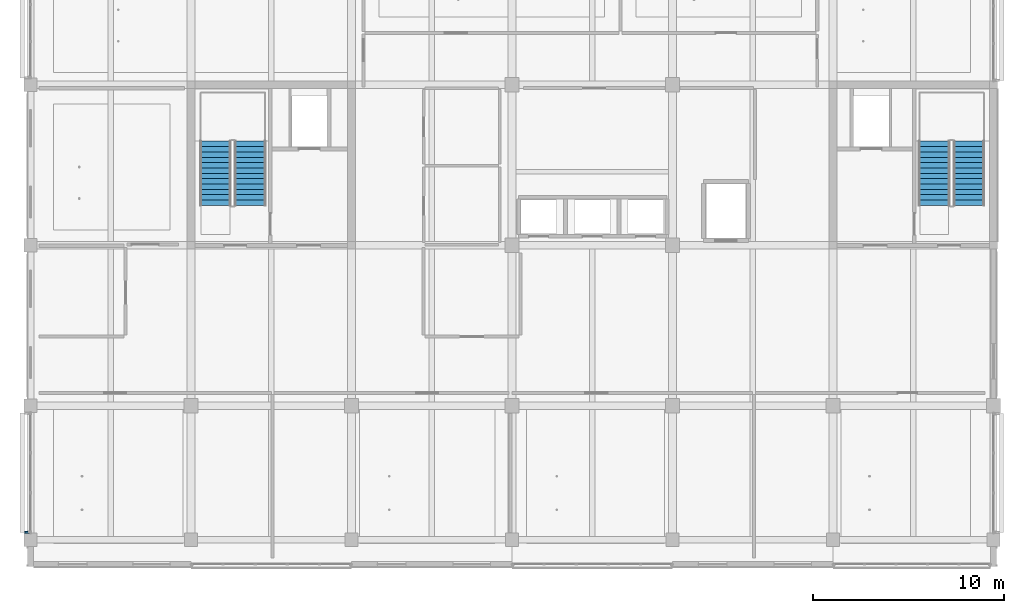
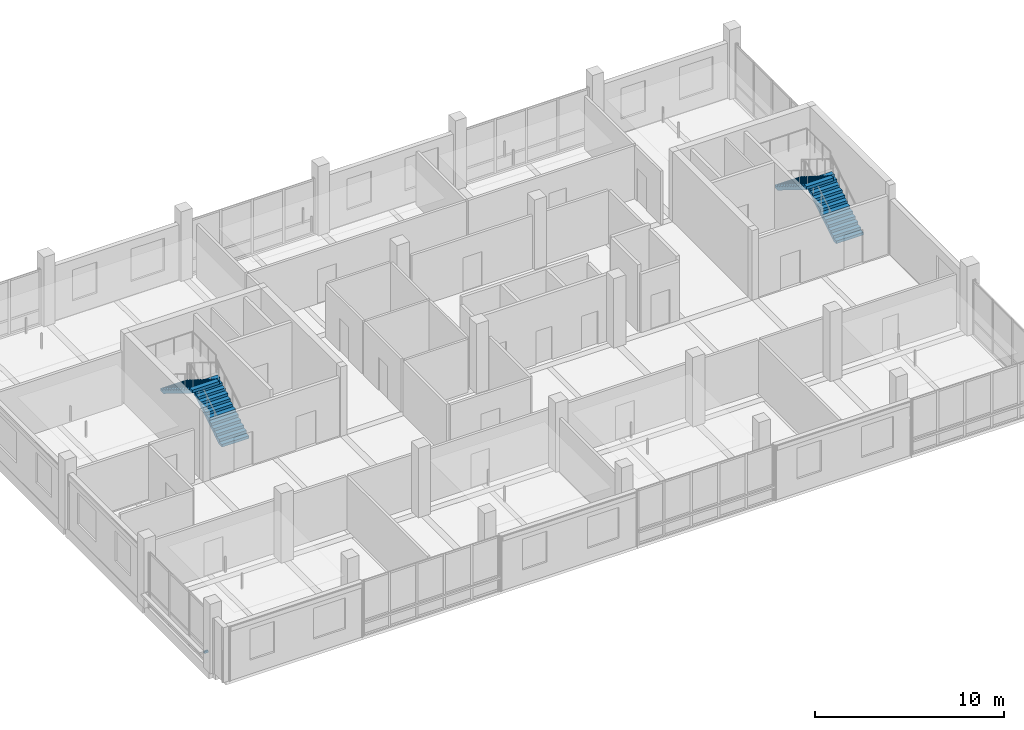
# One storey, part 14 of 32: 4 stair flights, 1 discrete accessory, 2 elements without a shape of their own.
"""IFC4 building model written with IfcOpenShell, lengths in metres."""

from ifc_helpers import new_model, si_unit, direction, frame, origin, origin_2d, place, context, subcontext, project, spatial, polyline, rectangle, outline, extrude, material, type_object, element, aggregate, save


model = new_model("IFC4")

# Units and contexts
model_context = context("Model", 3, precision=1e-05, world=origin(), true_north=direction((0.0, 1.0)))
body_context = subcontext(model_context, "Body", "Model", "MODEL_VIEW")
ifc_project = project(units=[si_unit("LENGTHUNIT", "METRE"), si_unit("AREAUNIT", "SQUARE_METRE"), si_unit("VOLUMEUNIT", "CUBIC_METRE"), si_unit("PLANEANGLEUNIT", "RADIAN"), si_unit("MASSUNIT", "GRAM", prefix="KILO")], contexts=[model_context])

# Site, building, storey
site_placement = place(None, origin())
site = spatial("IfcSite", under=ifc_project, at=site_placement, CompositionType="ELEMENT")
building_placement = place(site_placement, origin())
building = spatial("IfcBuilding", under=site, at=building_placement, Name="Telukmera Botanical Conservatory", CompositionType="ELEMENT")
storey_placement = place(building_placement, frame((0.0, 0.0, 42.0)))
storey = spatial("IfcBuildingStorey", under=building, at=storey_placement, Name="L09", CompositionType="ELEMENT", Elevation=42.0)

# Stair, stair flights
ifc_material_1 = material(Name="Concrete C40/50", Category="concrete")
stair_type = type_object("IfcStairType", Name="ST-ESC-4500", PredefinedType="HALF_TURN_STAIR", material=ifc_material_1)
stair_1_placement = place(storey_placement, origin())
stair_1 = element("IfcStair", 1, at=stair_1_placement, inside=storey, type_object=stair_type, Name="L09 Protected Escape Stair ST1", PredefinedType="HALF_TURN_STAIR")
stair_flight_type = type_object("IfcStairFlightType", Name="SF-ESC-4500", PredefinedType="STRAIGHT", material=ifc_material_1)
stair_flight_1_placement = place(storey_placement, frame((61.89990234375, 28.090087890625, 0.0), z_axis=(0.0, 0.0, 1.0), x_axis=(0.0, 1.0, 0.0)))
stair_flight_1 = element("IfcStairFlight", 2, at=stair_flight_1_placement, type_object=stair_flight_type, Name="ST1 flight 1", NumberOfRisers=13, NumberOfTreads=12, PredefinedType="STRAIGHT", RiserHeight=0.173076923, TreadLength=0.28, context=body_context, shape_type="SweptSolid", body=[
    extrude(outline(polyline([(0.0, 0.0), (0.0, 0.173095703125), (0.280029296875, 0.173095703125), (0.280029296875, 0.34619140625), (0.56005859375, 0.34619140625), (0.56005859375, 0.519287109375), (0.840087890625, 0.519287109375), (0.840087890625, 0.6923828125), (1.1201171875, 0.6923828125), (1.1201171875, 0.865478515625), (1.39990234375, 0.865478515625), (1.39990234375, 1.03857421875), (1.679931640625, 1.03857421875), (1.679931640625, 1.21142578125), (1.9599609375, 1.21142578125), (1.9599609375, 1.384521484375), (2.239990234375, 1.384521484375), (2.239990234375, 1.5576171875), (2.52001953125, 1.5576171875), (2.52001953125, 1.730712890625), (2.800048828125, 1.730712890625), (2.800048828125, 1.90380859375), (3.080078125, 1.90380859375), (3.080078125, 2.076904296875), (3.360107421875, 2.076904296875), (3.360107421875, 2.25), (3.360107421875, 1.888916015625), (0.30419921875, 0.0), (0.0, 0.0)])), frame((0.0, 0.830078125, 0.0), z_axis=(0.0, -1.0, 0.0), x_axis=(1.0, 0.0, 0.0)), (0.0, 0.0, 1.0), 1.659912109375),
])
stair_flight_2_placement = place(storey_placement, frame((60.080078125, 31.449951171875, 2.25), z_axis=(0.0, 0.0, 1.0), x_axis=(0.0, -1.0, 0.0)))
stair_flight_2 = element("IfcStairFlight", 3, at=stair_flight_2_placement, type_object=stair_flight_type, Name="ST1 flight 2", NumberOfRisers=13, NumberOfTreads=12, PredefinedType="STRAIGHT", RiserHeight=0.173076923, TreadLength=0.28, context=body_context, shape_type="SweptSolid", body=[
    extrude(outline(polyline([(0.0, 0.0), (0.0, 0.173095703125), (0.280029296875, 0.173095703125), (0.280029296875, 0.34619140625), (0.56005859375, 0.34619140625), (0.56005859375, 0.519287109375), (0.840087890625, 0.519287109375), (0.840087890625, 0.6923828125), (1.1201171875, 0.6923828125), (1.1201171875, 0.865478515625), (1.39990234375, 0.865478515625), (1.39990234375, 1.03857421875), (1.679931640625, 1.03857421875), (1.679931640625, 1.21142578125), (1.9599609375, 1.21142578125), (1.9599609375, 1.384521484375), (2.239990234375, 1.384521484375), (2.239990234375, 1.5576171875), (2.52001953125, 1.5576171875), (2.52001953125, 1.730712890625), (2.800048828125, 1.730712890625), (2.800048828125, 1.90380859375), (3.080078125, 1.90380859375), (3.080078125, 2.076904296875), (3.360107421875, 2.076904296875), (3.360107421875, 2.25), (3.360107421875, 1.888916015625), (0.30419921875, 0.0), (0.0, 0.0)])), frame((0.0, 0.830078125, 0.0), z_axis=(0.0, -1.0, 0.0), x_axis=(1.0, 0.0, 0.0)), (0.0, 0.0, 1.0), 1.659912109375),
])
aggregate(stair_1, [stair_flight_1, stair_flight_2])

stair_2_placement = place(storey_placement, origin())
stair_2 = element("IfcStair", 4, at=stair_2_placement, inside=storey, type_object=stair_type, Name="L09 Protected Escape Stair ST2", PredefinedType="HALF_TURN_STAIR")
stair_flight_3_placement = place(storey_placement, frame((99.52001953125, 28.090087890625, 0.0), z_axis=(0.0, 0.0, 1.0), x_axis=(0.0, 1.0, 0.0)))
stair_flight_3 = element("IfcStairFlight", 5, at=stair_flight_3_placement, type_object=stair_flight_type, Name="ST2 flight 1", NumberOfRisers=13, NumberOfTreads=12, PredefinedType="STRAIGHT", RiserHeight=0.173076923, TreadLength=0.28, context=body_context, shape_type="SweptSolid", body=[
    extrude(outline(polyline([(0.0, 0.0), (0.0, 0.173095703125), (0.280029296875, 0.173095703125), (0.280029296875, 0.34619140625), (0.56005859375, 0.34619140625), (0.56005859375, 0.519287109375), (0.840087890625, 0.519287109375), (0.840087890625, 0.6923828125), (1.1201171875, 0.6923828125), (1.1201171875, 0.865478515625), (1.39990234375, 0.865478515625), (1.39990234375, 1.03857421875), (1.679931640625, 1.03857421875), (1.679931640625, 1.21142578125), (1.9599609375, 1.21142578125), (1.9599609375, 1.384521484375), (2.239990234375, 1.384521484375), (2.239990234375, 1.5576171875), (2.52001953125, 1.5576171875), (2.52001953125, 1.730712890625), (2.800048828125, 1.730712890625), (2.800048828125, 1.90380859375), (3.080078125, 1.90380859375), (3.080078125, 2.076904296875), (3.360107421875, 2.076904296875), (3.360107421875, 2.25), (3.360107421875, 1.888916015625), (0.30419921875, 0.0), (0.0, 0.0)])), frame((0.0, 0.830078125, 0.0), z_axis=(0.0, -1.0, 0.0), x_axis=(1.0, 0.0, 0.0)), (0.0, 0.0, 1.0), 1.659912109375),
])
stair_flight_4_placement = place(storey_placement, frame((97.699951171875, 31.449951171875, 2.25), z_axis=(0.0, 0.0, 1.0), x_axis=(0.0, -1.0, 0.0)))
stair_flight_4 = element("IfcStairFlight", 6, at=stair_flight_4_placement, type_object=stair_flight_type, Name="ST2 flight 2", NumberOfRisers=13, NumberOfTreads=12, PredefinedType="STRAIGHT", RiserHeight=0.173076923, TreadLength=0.28, context=body_context, shape_type="SweptSolid", body=[
    extrude(outline(polyline([(0.0, 0.0), (0.0, 0.173095703125), (0.280029296875, 0.173095703125), (0.280029296875, 0.34619140625), (0.56005859375, 0.34619140625), (0.56005859375, 0.519287109375), (0.840087890625, 0.519287109375), (0.840087890625, 0.6923828125), (1.1201171875, 0.6923828125), (1.1201171875, 0.865478515625), (1.39990234375, 0.865478515625), (1.39990234375, 1.03857421875), (1.679931640625, 1.03857421875), (1.679931640625, 1.21142578125), (1.9599609375, 1.21142578125), (1.9599609375, 1.384521484375), (2.239990234375, 1.384521484375), (2.239990234375, 1.5576171875), (2.52001953125, 1.5576171875), (2.52001953125, 1.730712890625), (2.800048828125, 1.730712890625), (2.800048828125, 1.90380859375), (3.080078125, 1.90380859375), (3.080078125, 2.076904296875), (3.360107421875, 2.076904296875), (3.360107421875, 2.25), (3.360107421875, 1.888916015625), (0.30419921875, 0.0), (0.0, 0.0)])), frame((0.0, 0.830078125, 0.0), z_axis=(0.0, -1.0, 0.0), x_axis=(1.0, 0.0, 0.0)), (0.0, 0.0, 1.0), 1.659912109375),
])
aggregate(stair_2, [stair_flight_3, stair_flight_4])

# Discrete accessory
ifc_material_2 = material(Name="Steel S355", Category="steel")
discrete_accessory_type = type_object("IfcDiscreteAccessoryType", Name="Structural Steel Facade Outrigger Fin Bracket", PredefinedType="BRACKET", material=ifc_material_2)
discrete_accessory_placement = place(storey_placement, frame((50.2099609375, 10.98193359375, 0.8798828125), z_axis=(0.0, 0.0, 1.0), x_axis=(0.0, 1.0, 0.0)))
element("IfcDiscreteAccessory", 7, at=discrete_accessory_placement, inside=storey, type_object=discrete_accessory_type, Name="Facade Outrigger Bracket V4:L09:W1 A", PredefinedType="BRACKET", context=body_context, shape_type="SweptSolid", body=[
    extrude(rectangle(XDim=0.10009765625, YDim=0.239990234375, at=origin_2d()), origin(), (0.0, 0.0, 1.0), 0.139892578125),
])

save(model, "model.ifc")
